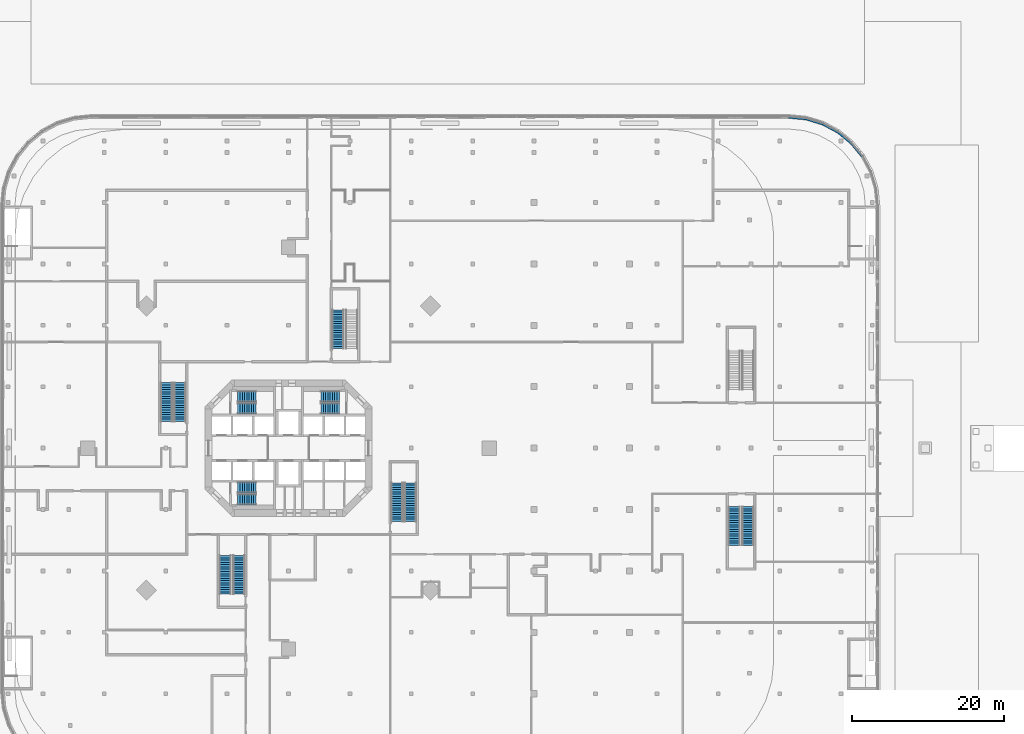
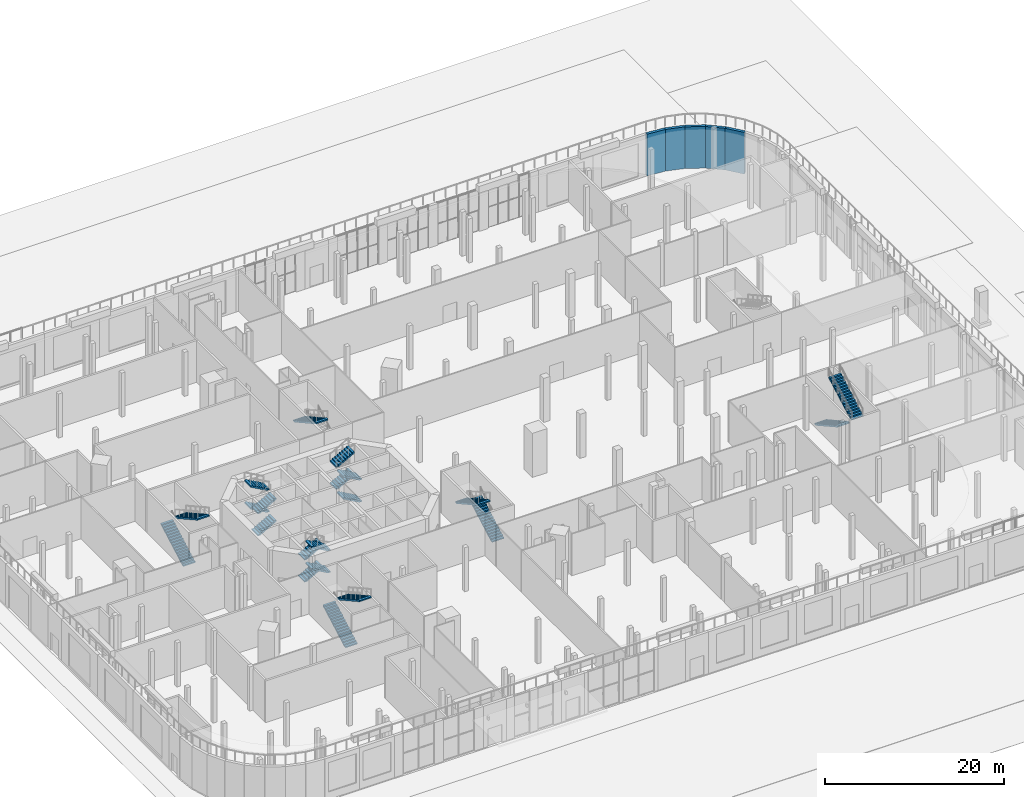
# One storey, part 23 of 32: 21 stair flights, 5 walls, 8 elements without a shape of their own.
"""IFC4 building model written with IfcOpenShell, lengths in metres."""

from ifc_helpers import new_model, si_unit, direction, frame, frame_2d, origin, place, context, subcontext, project, spatial, polyline, rectangle, outline, extrude, material, layer, layer_set, type_object, element, aggregate, save


model = new_model("IFC4")

# Units and contexts
model_context = context("Model", 3, precision=1e-05, world=origin(), true_north=direction((0.0, 1.0)))
body_context = subcontext(model_context, "Body", "Model", "MODEL_VIEW")
ifc_project = project(units=[si_unit("LENGTHUNIT", "METRE"), si_unit("AREAUNIT", "SQUARE_METRE"), si_unit("VOLUMEUNIT", "CUBIC_METRE"), si_unit("PLANEANGLEUNIT", "RADIAN"), si_unit("MASSUNIT", "GRAM", prefix="KILO")], contexts=[model_context])

# Site, building, storey
site_placement = place(None, origin())
site = spatial("IfcSite", under=ifc_project, at=site_placement, CompositionType="ELEMENT")
building_placement = place(site_placement, origin())
building = spatial("IfcBuilding", under=site, at=building_placement, Name="Torre Triforio", CompositionType="ELEMENT")
storey_placement = place(building_placement, origin())
storey = spatial("IfcBuildingStorey", under=building, at=storey_placement, Name="L00", CompositionType="ELEMENT", Elevation=0.0)

# Walls
ifc_material_1 = material(Name="Limestone cladding", Category="masonry")
ifc_layer_1 = layer(ifc_material_1, 0.10009765625)
ifc_material_2 = material(Name="Concrete C40", Category="concrete")
ifc_layer_2 = layer(ifc_material_2, 0.25)
ifc_layer_set = layer_set([ifc_layer_1, ifc_layer_2], Name="Limestone cladding / Concrete C40")
wall_type = type_object("IfcWallType", Name="Stone-clad podium wall 350", PredefinedType="STANDARD", material=ifc_layer_set)
for number, where, z_axis, x_axis, name in (
    (1, (75.7060546875, 38.4853515625, 0.0), (0.0, 0.0, 1.0), (-0.634352578082, 0.773043858187, 0.0), "External wall L00 e12.0.w0"),
    (2, (74.25439453125, 40.25439453125, 0.0), (0.0, 0.0, 1.0), (-0.773043858187, 0.634352578082, 0.0), "External wall L00 e13.0.w0"),
    (3, (72.4853515625, 41.7060546875, 0.0), (0.0, 0.0, 1.0), (-0.881888841544, 0.47145739061, 0.0), "External wall L00 e14.0.w0"),
):
    element("IfcWall", number, at=place(storey_placement, frame(where, z_axis=z_axis, x_axis=x_axis)), inside=storey, type_object=wall_type, Name=name, PredefinedType="STANDARD", context=body_context, shape_type="SweptSolid", body=[
        extrude(rectangle(XDim=2.288330078125, YDim=0.35009765625, at=frame_2d((1.14404296875, 0.0))), origin(), (0.0, 0.0, 1.0), 5.679931640625),
    ])
wall_1_placement = place(storey_placement, frame((70.46728515625, 42.784912109375, 0.0), z_axis=(0.0, 0.0, 1.0), x_axis=(-0.956940921075, 0.29028274763, 0.0)))
element("IfcWall", 4, at=wall_1_placement, inside=storey, type_object=wall_type, Name="External wall L00 e15.0.w0", PredefinedType="STANDARD", context=body_context, shape_type="SweptSolid", body=[
    extrude(rectangle(XDim=2.28857421875, YDim=0.35009765625, at=frame_2d((1.144287109375, 0.0))), origin(), (0.0, 0.0, 1.0), 5.679931640625),
])
wall_2_placement = place(storey_placement, frame((68.27734375, 43.44921875, 0.0), z_axis=(0.0, 0.0, 1.0), x_axis=(-0.995187085002, 0.097993192849, 0.0)))
element("IfcWall", 5, at=wall_2_placement, inside=storey, type_object=wall_type, Name="External wall L00 e16.0.w0", PredefinedType="STANDARD", context=body_context, shape_type="SweptSolid", body=[
    extrude(rectangle(XDim=2.304443359375, YDim=0.35009765625, at=frame_2d((1.15234375, 0.0))), origin(), (0.0, 0.0, 1.0), 5.679931640625),
])

# Stair, stair flights
stair_type_1 = type_object("IfcStairType", Name="Egress stair 1400 clear", PredefinedType="NOTDEFINED", material=ifc_material_2)
stair_1_placement = place(storey_placement, origin())
stair_1 = element("IfcStair", 6, at=stair_1_placement, inside=storey, type_object=stair_type_1, Name="Exit stair PS1 L00 to L01", PredefinedType="NOTDEFINED")
stair_flight_type_1 = type_object("IfcStairFlightType", Name="Egress stair flight 1400", PredefinedType="STRAIGHT", material=ifc_material_2)
stair_flight_1_placement = place(storey_placement, frame((-16.10009765625, 3.52490234375, 0.0), z_axis=(0.0, 0.0, 1.0), x_axis=(0.0, 1.0, 0.0)))
stair_flight_1 = element("IfcStairFlight", 7, at=stair_flight_1_placement, type_object=stair_flight_type_1, Name="PS1 flight 1", NumberOfRisers=18, NumberOfTreads=17, PredefinedType="STRAIGHT", RiserHeight=0.166666667, TreadLength=0.3, context=body_context, shape_type="SweptSolid", body=[
    extrude(outline(polyline([(0.0, 0.0), (0.0, 0.166748046875), (0.300048828125, 0.166748046875), (0.300048828125, 0.333251953125), (0.60009765625, 0.333251953125), (0.60009765625, 0.5), (0.89990234375, 0.5), (0.89990234375, 0.666748046875), (1.199951171875, 0.666748046875), (1.199951171875, 0.833251953125), (1.5, 0.833251953125), (1.5, 1.0), (1.800048828125, 1.0), (1.800048828125, 1.166748046875), (2.10009765625, 1.166748046875), (2.10009765625, 1.333251953125), (2.39990234375, 1.333251953125), (2.39990234375, 1.5), (2.699951171875, 1.5), (2.699951171875, 1.666748046875), (3.0, 1.666748046875), (3.0, 1.833251953125), (3.300048828125, 1.833251953125), (3.300048828125, 2.0), (3.60009765625, 2.0), (3.60009765625, 2.166748046875), (3.89990234375, 2.166748046875), (3.89990234375, 2.333251953125), (4.199951171875, 2.333251953125), (4.199951171875, 2.5), (4.5, 2.5), (4.5, 2.666748046875), (4.800048828125, 2.666748046875), (4.800048828125, 2.833251953125), (5.10009765625, 2.833251953125), (5.10009765625, 3.0), (5.10009765625, 2.661865234375), (0.30859375, 0.0), (0.0, 0.0)])), frame((0.0, 0.77490234375, 0.0), z_axis=(0.0, -1.0, 0.0), x_axis=(1.0, 0.0, 0.0)), (0.0, 0.0, 1.0), 1.550048828125),
])
stair_flight_2_placement = place(storey_placement, frame((-14.300048828125, 8.625, 3.0), z_axis=(0.0, 0.0, 1.0), x_axis=(0.0, -1.0, 0.0)))
stair_flight_2 = element("IfcStairFlight", 8, at=stair_flight_2_placement, type_object=stair_flight_type_1, Name="PS1 flight 2", NumberOfRisers=18, NumberOfTreads=17, PredefinedType="STRAIGHT", RiserHeight=0.166666667, TreadLength=0.3, context=body_context, shape_type="SweptSolid", body=[
    extrude(outline(polyline([(0.0, 0.0), (0.0, 0.166748046875), (0.300048828125, 0.166748046875), (0.300048828125, 0.333251953125), (0.60009765625, 0.333251953125), (0.60009765625, 0.5), (0.89990234375, 0.5), (0.89990234375, 0.666748046875), (1.199951171875, 0.666748046875), (1.199951171875, 0.833251953125), (1.5, 0.833251953125), (1.5, 1.0), (1.800048828125, 1.0), (1.800048828125, 1.166748046875), (2.10009765625, 1.166748046875), (2.10009765625, 1.333251953125), (2.39990234375, 1.333251953125), (2.39990234375, 1.5), (2.699951171875, 1.5), (2.699951171875, 1.666748046875), (3.0, 1.666748046875), (3.0, 1.833251953125), (3.300048828125, 1.833251953125), (3.300048828125, 2.0), (3.60009765625, 2.0), (3.60009765625, 2.166748046875), (3.89990234375, 2.166748046875), (3.89990234375, 2.333251953125), (4.199951171875, 2.333251953125), (4.199951171875, 2.5), (4.5, 2.5), (4.5, 2.666748046875), (4.800048828125, 2.666748046875), (4.800048828125, 2.833251953125), (5.10009765625, 2.833251953125), (5.10009765625, 3.0), (5.10009765625, 2.661865234375), (0.30859375, 0.0), (0.0, 0.0)])), frame((0.0, 0.77490234375, 0.0), z_axis=(0.0, -1.0, 0.0), x_axis=(1.0, 0.0, 0.0)), (0.0, 0.0, 1.0), 1.550048828125),
])
aggregate(stair_1, [stair_flight_1, stair_flight_2])

stair_2_placement = place(storey_placement, origin())
stair_2 = element("IfcStair", 9, at=stair_2_placement, inside=storey, type_object=stair_type_1, Name="Exit stair PS2 L00 to L01", PredefinedType="NOTDEFINED")
stair_flight_3_placement = place(storey_placement, frame((16.10009765625, -9.675048828125, 0.0), z_axis=(0.0, 0.0, 1.0), x_axis=(0.0, 1.0, 0.0)))
stair_flight_3 = element("IfcStairFlight", 10, at=stair_flight_3_placement, type_object=stair_flight_type_1, Name="PS2 flight 1", NumberOfRisers=18, NumberOfTreads=17, PredefinedType="STRAIGHT", RiserHeight=0.166666667, TreadLength=0.3, context=body_context, shape_type="SweptSolid", body=[
    extrude(outline(polyline([(0.0, 0.0), (0.0, 0.166748046875), (0.300048828125, 0.166748046875), (0.300048828125, 0.333251953125), (0.60009765625, 0.333251953125), (0.60009765625, 0.5), (0.89990234375, 0.5), (0.89990234375, 0.666748046875), (1.199951171875, 0.666748046875), (1.199951171875, 0.833251953125), (1.5, 0.833251953125), (1.5, 1.0), (1.800048828125, 1.0), (1.800048828125, 1.166748046875), (2.10009765625, 1.166748046875), (2.10009765625, 1.333251953125), (2.39990234375, 1.333251953125), (2.39990234375, 1.5), (2.699951171875, 1.5), (2.699951171875, 1.666748046875), (3.0, 1.666748046875), (3.0, 1.833251953125), (3.300048828125, 1.833251953125), (3.300048828125, 2.0), (3.60009765625, 2.0), (3.60009765625, 2.166748046875), (3.89990234375, 2.166748046875), (3.89990234375, 2.333251953125), (4.199951171875, 2.333251953125), (4.199951171875, 2.5), (4.5, 2.5), (4.5, 2.666748046875), (4.800048828125, 2.666748046875), (4.800048828125, 2.833251953125), (5.10009765625, 2.833251953125), (5.10009765625, 3.0), (5.10009765625, 2.661865234375), (0.30859375, 0.0), (0.0, 0.0)])), frame((0.0, 0.77490234375, 0.0), z_axis=(0.0, -1.0, 0.0), x_axis=(1.0, 0.0, 0.0)), (0.0, 0.0, 1.0), 1.550048828125),
])
stair_flight_4_placement = place(storey_placement, frame((14.300048828125, -4.574951171875, 3.0), z_axis=(0.0, 0.0, 1.0), x_axis=(0.0, -1.0, 0.0)))
stair_flight_4 = element("IfcStairFlight", 11, at=stair_flight_4_placement, type_object=stair_flight_type_1, Name="PS2 flight 2", NumberOfRisers=18, NumberOfTreads=17, PredefinedType="STRAIGHT", RiserHeight=0.166666667, TreadLength=0.3, context=body_context, shape_type="SweptSolid", body=[
    extrude(outline(polyline([(0.0, 0.0), (0.0, 0.166748046875), (0.300048828125, 0.166748046875), (0.300048828125, 0.333251953125), (0.60009765625, 0.333251953125), (0.60009765625, 0.5), (0.89990234375, 0.5), (0.89990234375, 0.666748046875), (1.199951171875, 0.666748046875), (1.199951171875, 0.833251953125), (1.5, 0.833251953125), (1.5, 1.0), (1.800048828125, 1.0), (1.800048828125, 1.166748046875), (2.10009765625, 1.166748046875), (2.10009765625, 1.333251953125), (2.39990234375, 1.333251953125), (2.39990234375, 1.5), (2.699951171875, 1.5), (2.699951171875, 1.666748046875), (3.0, 1.666748046875), (3.0, 1.833251953125), (3.300048828125, 1.833251953125), (3.300048828125, 2.0), (3.60009765625, 2.0), (3.60009765625, 2.166748046875), (3.89990234375, 2.166748046875), (3.89990234375, 2.333251953125), (4.199951171875, 2.333251953125), (4.199951171875, 2.5), (4.5, 2.5), (4.5, 2.666748046875), (4.800048828125, 2.666748046875), (4.800048828125, 2.833251953125), (5.10009765625, 2.833251953125), (5.10009765625, 3.0), (5.10009765625, 2.661865234375), (0.30859375, 0.0), (0.0, 0.0)])), frame((0.0, 0.77490234375, 0.0), z_axis=(0.0, -1.0, 0.0), x_axis=(1.0, 0.0, 0.0)), (0.0, 0.0, 1.0), 1.550048828125),
])
aggregate(stair_2, [stair_flight_3, stair_flight_4])

stair_3_placement = place(storey_placement, origin())
stair_3 = element("IfcStair", 12, at=stair_3_placement, inside=storey, type_object=stair_type_1, Name="Exit stair PS3 L00 to L01", PredefinedType="NOTDEFINED")
stair_flight_5_placement = place(storey_placement, frame((-8.35009765625, -19.27490234375, 0.0), z_axis=(0.0, 0.0, 1.0), x_axis=(0.0, 1.0, 0.0)))
stair_flight_5 = element("IfcStairFlight", 13, at=stair_flight_5_placement, type_object=stair_flight_type_1, Name="PS3 flight 1", NumberOfRisers=18, NumberOfTreads=17, PredefinedType="STRAIGHT", RiserHeight=0.166666667, TreadLength=0.3, context=body_context, shape_type="SweptSolid", body=[
    extrude(outline(polyline([(0.0, 0.0), (0.0, 0.166748046875), (0.300048828125, 0.166748046875), (0.300048828125, 0.333251953125), (0.60009765625, 0.333251953125), (0.60009765625, 0.5), (0.89990234375, 0.5), (0.89990234375, 0.666748046875), (1.199951171875, 0.666748046875), (1.199951171875, 0.833251953125), (1.5, 0.833251953125), (1.5, 1.0), (1.800048828125, 1.0), (1.800048828125, 1.166748046875), (2.10009765625, 1.166748046875), (2.10009765625, 1.333251953125), (2.39990234375, 1.333251953125), (2.39990234375, 1.5), (2.699951171875, 1.5), (2.699951171875, 1.666748046875), (3.0, 1.666748046875), (3.0, 1.833251953125), (3.300048828125, 1.833251953125), (3.300048828125, 2.0), (3.60009765625, 2.0), (3.60009765625, 2.166748046875), (3.89990234375, 2.166748046875), (3.89990234375, 2.333251953125), (4.199951171875, 2.333251953125), (4.199951171875, 2.5), (4.5, 2.5), (4.5, 2.666748046875), (4.800048828125, 2.666748046875), (4.800048828125, 2.833251953125), (5.10009765625, 2.833251953125), (5.10009765625, 3.0), (5.10009765625, 2.661865234375), (0.30859375, 0.0), (0.0, 0.0)])), frame((0.0, 0.77490234375, 0.0), z_axis=(0.0, -1.0, 0.0), x_axis=(1.0, 0.0, 0.0)), (0.0, 0.0, 1.0), 1.550048828125),
])
stair_flight_6_placement = place(storey_placement, frame((-6.550048828125, -14.175048828125, 3.0), z_axis=(0.0, 0.0, 1.0), x_axis=(0.0, -1.0, 0.0)))
stair_flight_6 = element("IfcStairFlight", 14, at=stair_flight_6_placement, type_object=stair_flight_type_1, Name="PS3 flight 2", NumberOfRisers=18, NumberOfTreads=17, PredefinedType="STRAIGHT", RiserHeight=0.166666667, TreadLength=0.3, context=body_context, shape_type="SweptSolid", body=[
    extrude(outline(polyline([(0.0, 0.0), (0.0, 0.166748046875), (0.300048828125, 0.166748046875), (0.300048828125, 0.333251953125), (0.60009765625, 0.333251953125), (0.60009765625, 0.5), (0.89990234375, 0.5), (0.89990234375, 0.666748046875), (1.199951171875, 0.666748046875), (1.199951171875, 0.833251953125), (1.5, 0.833251953125), (1.5, 1.0), (1.800048828125, 1.0), (1.800048828125, 1.166748046875), (2.10009765625, 1.166748046875), (2.10009765625, 1.333251953125), (2.39990234375, 1.333251953125), (2.39990234375, 1.5), (2.699951171875, 1.5), (2.699951171875, 1.666748046875), (3.0, 1.666748046875), (3.0, 1.833251953125), (3.300048828125, 1.833251953125), (3.300048828125, 2.0), (3.60009765625, 2.0), (3.60009765625, 2.166748046875), (3.89990234375, 2.166748046875), (3.89990234375, 2.333251953125), (4.199951171875, 2.333251953125), (4.199951171875, 2.5), (4.5, 2.5), (4.5, 2.666748046875), (4.800048828125, 2.666748046875), (4.800048828125, 2.833251953125), (5.10009765625, 2.833251953125), (5.10009765625, 3.0), (5.10009765625, 2.661865234375), (0.30859375, 0.0), (0.0, 0.0)])), frame((0.0, 0.77490234375, 0.0), z_axis=(0.0, -1.0, 0.0), x_axis=(1.0, 0.0, 0.0)), (0.0, 0.0, 1.0), 1.550048828125),
])
aggregate(stair_3, [stair_flight_5, stair_flight_6])

# Stair, stair flight
stair_4_placement = place(storey_placement, origin())
stair_4 = element("IfcStair", 15, at=stair_4_placement, inside=storey, type_object=stair_type_1, Name="Exit stair PS4 L00 to L01", PredefinedType="NOTDEFINED")
stair_flight_7_placement = place(storey_placement, frame((6.550048828125, 18.22509765625, 3.0), z_axis=(0.0, 0.0, 1.0), x_axis=(0.0, -1.0, 0.0)))
stair_flight_7 = element("IfcStairFlight", 16, at=stair_flight_7_placement, type_object=stair_flight_type_1, Name="PS4 flight 2", NumberOfRisers=18, NumberOfTreads=17, PredefinedType="STRAIGHT", RiserHeight=0.166666667, TreadLength=0.3, context=body_context, shape_type="SweptSolid", body=[
    extrude(outline(polyline([(0.0, 0.0), (0.0, 0.166748046875), (0.300048828125, 0.166748046875), (0.300048828125, 0.333251953125), (0.60009765625, 0.333251953125), (0.60009765625, 0.5), (0.89990234375, 0.5), (0.89990234375, 0.666748046875), (1.199951171875, 0.666748046875), (1.199951171875, 0.833251953125), (1.5, 0.833251953125), (1.5, 1.0), (1.800048828125, 1.0), (1.800048828125, 1.166748046875), (2.10009765625, 1.166748046875), (2.10009765625, 1.333251953125), (2.39990234375, 1.333251953125), (2.39990234375, 1.5), (2.699951171875, 1.5), (2.699951171875, 1.666748046875), (3.0, 1.666748046875), (3.0, 1.833251953125), (3.300048828125, 1.833251953125), (3.300048828125, 2.0), (3.60009765625, 2.0), (3.60009765625, 2.166748046875), (3.89990234375, 2.166748046875), (3.89990234375, 2.333251953125), (4.199951171875, 2.333251953125), (4.199951171875, 2.5), (4.5, 2.5), (4.5, 2.666748046875), (4.800048828125, 2.666748046875), (4.800048828125, 2.833251953125), (5.10009765625, 2.833251953125), (5.10009765625, 3.0), (5.10009765625, 2.661865234375), (0.30859375, 0.0), (0.0, 0.0)])), frame((0.0, 0.77490234375, 0.0), z_axis=(0.0, -1.0, 0.0), x_axis=(1.0, 0.0, 0.0)), (0.0, 0.0, 1.0), 1.550048828125),
])
aggregate(stair_4, [stair_flight_7])

# Stair, stair flights
stair_5_placement = place(storey_placement, origin())
stair_5 = element("IfcStair", 17, at=stair_5_placement, inside=storey, type_object=stair_type_1, Name="Exit stair PS6 L00 to L01", PredefinedType="NOTDEFINED")
stair_flight_8_placement = place(storey_placement, frame((58.800048828125, -7.72509765625, 0.0), z_axis=(0.0, 0.0, 1.0), x_axis=(0.0, -1.0, 0.0)))
stair_flight_8 = element("IfcStairFlight", 18, at=stair_flight_8_placement, type_object=stair_flight_type_1, Name="PS6 flight 1", NumberOfRisers=18, NumberOfTreads=17, PredefinedType="STRAIGHT", RiserHeight=0.166666667, TreadLength=0.3, context=body_context, shape_type="SweptSolid", body=[
    extrude(outline(polyline([(0.0, 0.0), (0.0, 0.166748046875), (0.300048828125, 0.166748046875), (0.300048828125, 0.333251953125), (0.60009765625, 0.333251953125), (0.60009765625, 0.5), (0.89990234375, 0.5), (0.89990234375, 0.666748046875), (1.199951171875, 0.666748046875), (1.199951171875, 0.833251953125), (1.5, 0.833251953125), (1.5, 1.0), (1.800048828125, 1.0), (1.800048828125, 1.166748046875), (2.10009765625, 1.166748046875), (2.10009765625, 1.333251953125), (2.39990234375, 1.333251953125), (2.39990234375, 1.5), (2.699951171875, 1.5), (2.699951171875, 1.666748046875), (3.0, 1.666748046875), (3.0, 1.833251953125), (3.300048828125, 1.833251953125), (3.300048828125, 2.0), (3.60009765625, 2.0), (3.60009765625, 2.166748046875), (3.89990234375, 2.166748046875), (3.89990234375, 2.333251953125), (4.199951171875, 2.333251953125), (4.199951171875, 2.5), (4.5, 2.5), (4.5, 2.666748046875), (4.800048828125, 2.666748046875), (4.800048828125, 2.833251953125), (5.10009765625, 2.833251953125), (5.10009765625, 3.0), (5.10009765625, 2.661865234375), (0.30859375, 0.0), (0.0, 0.0)])), frame((0.0, 0.77490234375, 0.0), z_axis=(0.0, -1.0, 0.0), x_axis=(1.0, 0.0, 0.0)), (0.0, 0.0, 1.0), 1.550048828125),
])
stair_flight_9_placement = place(storey_placement, frame((60.60009765625, -12.824951171875, 3.0), z_axis=(0.0, 0.0, 1.0), x_axis=(0.0, 1.0, 0.0)))
stair_flight_9 = element("IfcStairFlight", 19, at=stair_flight_9_placement, type_object=stair_flight_type_1, Name="PS6 flight 2", NumberOfRisers=18, NumberOfTreads=17, PredefinedType="STRAIGHT", RiserHeight=0.166666667, TreadLength=0.3, context=body_context, shape_type="SweptSolid", body=[
    extrude(outline(polyline([(0.0, 0.0), (0.0, 0.166748046875), (0.300048828125, 0.166748046875), (0.300048828125, 0.333251953125), (0.60009765625, 0.333251953125), (0.60009765625, 0.5), (0.89990234375, 0.5), (0.89990234375, 0.666748046875), (1.199951171875, 0.666748046875), (1.199951171875, 0.833251953125), (1.5, 0.833251953125), (1.5, 1.0), (1.800048828125, 1.0), (1.800048828125, 1.166748046875), (2.10009765625, 1.166748046875), (2.10009765625, 1.333251953125), (2.39990234375, 1.333251953125), (2.39990234375, 1.5), (2.699951171875, 1.5), (2.699951171875, 1.666748046875), (3.0, 1.666748046875), (3.0, 1.833251953125), (3.300048828125, 1.833251953125), (3.300048828125, 2.0), (3.60009765625, 2.0), (3.60009765625, 2.166748046875), (3.89990234375, 2.166748046875), (3.89990234375, 2.333251953125), (4.199951171875, 2.333251953125), (4.199951171875, 2.5), (4.5, 2.5), (4.5, 2.666748046875), (4.800048828125, 2.666748046875), (4.800048828125, 2.833251953125), (5.10009765625, 2.833251953125), (5.10009765625, 3.0), (5.10009765625, 2.661865234375), (0.30859375, 0.0), (0.0, 0.0)])), frame((0.0, 0.77490234375, 0.0), z_axis=(0.0, -1.0, 0.0), x_axis=(1.0, 0.0, 0.0)), (0.0, 0.0, 1.0), 1.550048828125),
])
aggregate(stair_5, [stair_flight_8, stair_flight_9])

stair_type_2 = type_object("IfcStairType", Name="STAIR DOUBLE RETURN", PredefinedType="DOUBLE_RETURN_STAIR", material=ifc_material_2)
stair_6_placement = place(storey_placement, origin())
stair_6 = element("IfcStair", 20, at=stair_6_placement, inside=storey, type_object=stair_type_2, Name="Exit stair 1", PredefinedType="DOUBLE_RETURN_STAIR")
stair_flight_type_2 = type_object("IfcStairFlightType", Name="STAIR FLIGHT 1400", PredefinedType="STRAIGHT", material=ifc_material_2)
stair_flight_10_placement = place(storey_placement, frame((-6.699951171875, 5.199951171875, 0.0), z_axis=(0.0, 0.0, 1.0), x_axis=(1.0, 0.0, 0.0)))
stair_flight_10 = element("IfcStairFlight", 21, at=stair_flight_10_placement, type_object=stair_flight_type_2, Name="ST1 flight 1", NumberOfRisers=9, NumberOfTreads=8, PredefinedType="STRAIGHT", RiserHeight=0.166666667, TreadLength=0.3, context=body_context, shape_type="SweptSolid", body=[
    extrude(outline(polyline([(0.0, 0.0), (0.0, 0.166748046875), (0.300048828125, 0.166748046875), (0.300048828125, 0.333251953125), (0.60009765625, 0.333251953125), (0.60009765625, 0.5), (0.89990234375, 0.5), (0.89990234375, 0.666748046875), (1.199951171875, 0.666748046875), (1.199951171875, 0.833251953125), (1.5, 0.833251953125), (1.5, 1.0), (1.800048828125, 1.0), (1.800048828125, 1.166748046875), (2.10009765625, 1.166748046875), (2.10009765625, 1.333251953125), (2.39990234375, 1.333251953125), (2.39990234375, 1.5), (2.39990234375, 1.161865234375), (0.30859375, 0.0), (0.0, 0.0)])), frame((0.0, 0.699951171875, 0.0), z_axis=(0.0, -1.0, 0.0), x_axis=(1.0, 0.0, 0.0)), (0.0, 0.0, 1.0), 1.39990234375),
])
stair_flight_11_placement = place(storey_placement, frame((-4.300048828125, 6.800048828125, 1.5), z_axis=(0.0, 0.0, 1.0), x_axis=(-1.0, 0.0, 0.0)))
stair_flight_11 = element("IfcStairFlight", 22, at=stair_flight_11_placement, type_object=stair_flight_type_2, Name="ST1 flight 2", NumberOfRisers=9, NumberOfTreads=8, PredefinedType="STRAIGHT", RiserHeight=0.166666667, TreadLength=0.3, context=body_context, shape_type="SweptSolid", body=[
    extrude(outline(polyline([(0.0, 0.0), (0.0, 0.166748046875), (0.300048828125, 0.166748046875), (0.300048828125, 0.333251953125), (0.60009765625, 0.333251953125), (0.60009765625, 0.5), (0.89990234375, 0.5), (0.89990234375, 0.666748046875), (1.199951171875, 0.666748046875), (1.199951171875, 0.833251953125), (1.5, 0.833251953125), (1.5, 1.0), (1.800048828125, 1.0), (1.800048828125, 1.166748046875), (2.10009765625, 1.166748046875), (2.10009765625, 1.333251953125), (2.39990234375, 1.333251953125), (2.39990234375, 1.5), (2.39990234375, 1.161865234375), (0.30859375, 0.0), (0.0, 0.0)])), frame((0.0, 0.699951171875, 0.0), z_axis=(0.0, -1.0, 0.0), x_axis=(1.0, 0.0, 0.0)), (0.0, 0.0, 1.0), 1.39990234375),
])
stair_flight_12_placement = place(storey_placement, frame((-6.699951171875, 5.199951171875, 3.0), z_axis=(0.0, 0.0, 1.0), x_axis=(1.0, 0.0, 0.0)))
stair_flight_12 = element("IfcStairFlight", 23, at=stair_flight_12_placement, type_object=stair_flight_type_2, Name="ST1 flight 3", NumberOfRisers=9, NumberOfTreads=8, PredefinedType="STRAIGHT", RiserHeight=0.166666667, TreadLength=0.3, context=body_context, shape_type="SweptSolid", body=[
    extrude(outline(polyline([(0.0, 0.0), (0.0, 0.166748046875), (0.300048828125, 0.166748046875), (0.300048828125, 0.333251953125), (0.60009765625, 0.333251953125), (0.60009765625, 0.5), (0.89990234375, 0.5), (0.89990234375, 0.666748046875), (1.199951171875, 0.666748046875), (1.199951171875, 0.833251953125), (1.5, 0.833251953125), (1.5, 1.0), (1.800048828125, 1.0), (1.800048828125, 1.166748046875), (2.10009765625, 1.166748046875), (2.10009765625, 1.333251953125), (2.39990234375, 1.333251953125), (2.39990234375, 1.5), (2.39990234375, 1.161865234375), (0.30859375, 0.0), (0.0, 0.0)])), frame((0.0, 0.699951171875, 0.0), z_axis=(0.0, -1.0, 0.0), x_axis=(1.0, 0.0, 0.0)), (0.0, 0.0, 1.0), 1.39990234375),
])
stair_flight_13_placement = place(storey_placement, frame((-4.300048828125, 6.800048828125, 4.5), z_axis=(0.0, 0.0, 1.0), x_axis=(-1.0, 0.0, 0.0)))
stair_flight_13 = element("IfcStairFlight", 24, at=stair_flight_13_placement, type_object=stair_flight_type_2, Name="ST1 flight 4", NumberOfRisers=9, NumberOfTreads=8, PredefinedType="STRAIGHT", RiserHeight=0.166666667, TreadLength=0.3, context=body_context, shape_type="SweptSolid", body=[
    extrude(outline(polyline([(0.0, 0.0), (0.0, 0.166748046875), (0.300048828125, 0.166748046875), (0.300048828125, 0.333251953125), (0.60009765625, 0.333251953125), (0.60009765625, 0.5), (0.89990234375, 0.5), (0.89990234375, 0.666748046875), (1.199951171875, 0.666748046875), (1.199951171875, 0.833251953125), (1.5, 0.833251953125), (1.5, 1.0), (1.800048828125, 1.0), (1.800048828125, 1.166748046875), (2.10009765625, 1.166748046875), (2.10009765625, 1.333251953125), (2.39990234375, 1.333251953125), (2.39990234375, 1.5), (2.39990234375, 1.161865234375), (0.30859375, 0.0), (0.0, 0.0)])), frame((0.0, 0.699951171875, 0.0), z_axis=(0.0, -1.0, 0.0), x_axis=(1.0, 0.0, 0.0)), (0.0, 0.0, 1.0), 1.39990234375),
])
aggregate(stair_6, [stair_flight_10, stair_flight_11, stair_flight_12, stair_flight_13])

stair_7_placement = place(storey_placement, origin())
stair_7 = element("IfcStair", 25, at=stair_7_placement, inside=storey, type_object=stair_type_2, Name="Exit stair 2", PredefinedType="DOUBLE_RETURN_STAIR")
stair_flight_14_placement = place(storey_placement, frame((6.699951171875, 5.199951171875, 0.0), z_axis=(0.0, 0.0, 1.0), x_axis=(-1.0, 0.0, 0.0)))
stair_flight_14 = element("IfcStairFlight", 26, at=stair_flight_14_placement, type_object=stair_flight_type_2, Name="ST2 flight 1", NumberOfRisers=9, NumberOfTreads=8, PredefinedType="STRAIGHT", RiserHeight=0.166666667, TreadLength=0.3, context=body_context, shape_type="SweptSolid", body=[
    extrude(outline(polyline([(0.0, 0.0), (0.0, 0.166748046875), (0.300048828125, 0.166748046875), (0.300048828125, 0.333251953125), (0.60009765625, 0.333251953125), (0.60009765625, 0.5), (0.89990234375, 0.5), (0.89990234375, 0.666748046875), (1.199951171875, 0.666748046875), (1.199951171875, 0.833251953125), (1.5, 0.833251953125), (1.5, 1.0), (1.800048828125, 1.0), (1.800048828125, 1.166748046875), (2.10009765625, 1.166748046875), (2.10009765625, 1.333251953125), (2.39990234375, 1.333251953125), (2.39990234375, 1.5), (2.39990234375, 1.161865234375), (0.30859375, 0.0), (0.0, 0.0)])), frame((0.0, 0.699951171875, 0.0), z_axis=(0.0, -1.0, 0.0), x_axis=(1.0, 0.0, 0.0)), (0.0, 0.0, 1.0), 1.39990234375),
])
stair_flight_15_placement = place(storey_placement, frame((4.300048828125, 6.800048828125, 1.5), z_axis=(0.0, 0.0, 1.0), x_axis=(1.0, 0.0, 0.0)))
stair_flight_15 = element("IfcStairFlight", 27, at=stair_flight_15_placement, type_object=stair_flight_type_2, Name="ST2 flight 2", NumberOfRisers=9, NumberOfTreads=8, PredefinedType="STRAIGHT", RiserHeight=0.166666667, TreadLength=0.3, context=body_context, shape_type="SweptSolid", body=[
    extrude(outline(polyline([(0.0, 0.0), (0.0, 0.166748046875), (0.300048828125, 0.166748046875), (0.300048828125, 0.333251953125), (0.60009765625, 0.333251953125), (0.60009765625, 0.5), (0.89990234375, 0.5), (0.89990234375, 0.666748046875), (1.199951171875, 0.666748046875), (1.199951171875, 0.833251953125), (1.5, 0.833251953125), (1.5, 1.0), (1.800048828125, 1.0), (1.800048828125, 1.166748046875), (2.10009765625, 1.166748046875), (2.10009765625, 1.333251953125), (2.39990234375, 1.333251953125), (2.39990234375, 1.5), (2.39990234375, 1.161865234375), (0.30859375, 0.0), (0.0, 0.0)])), frame((0.0, 0.699951171875, 0.0), z_axis=(0.0, -1.0, 0.0), x_axis=(1.0, 0.0, 0.0)), (0.0, 0.0, 1.0), 1.39990234375),
])
stair_flight_16_placement = place(storey_placement, frame((6.699951171875, 5.199951171875, 3.0), z_axis=(0.0, 0.0, 1.0), x_axis=(-1.0, 0.0, 0.0)))
stair_flight_16 = element("IfcStairFlight", 28, at=stair_flight_16_placement, type_object=stair_flight_type_2, Name="ST2 flight 3", NumberOfRisers=9, NumberOfTreads=8, PredefinedType="STRAIGHT", RiserHeight=0.166666667, TreadLength=0.3, context=body_context, shape_type="SweptSolid", body=[
    extrude(outline(polyline([(0.0, 0.0), (0.0, 0.166748046875), (0.300048828125, 0.166748046875), (0.300048828125, 0.333251953125), (0.60009765625, 0.333251953125), (0.60009765625, 0.5), (0.89990234375, 0.5), (0.89990234375, 0.666748046875), (1.199951171875, 0.666748046875), (1.199951171875, 0.833251953125), (1.5, 0.833251953125), (1.5, 1.0), (1.800048828125, 1.0), (1.800048828125, 1.166748046875), (2.10009765625, 1.166748046875), (2.10009765625, 1.333251953125), (2.39990234375, 1.333251953125), (2.39990234375, 1.5), (2.39990234375, 1.161865234375), (0.30859375, 0.0), (0.0, 0.0)])), frame((0.0, 0.699951171875, 0.0), z_axis=(0.0, -1.0, 0.0), x_axis=(1.0, 0.0, 0.0)), (0.0, 0.0, 1.0), 1.39990234375),
])
stair_flight_17_placement = place(storey_placement, frame((4.300048828125, 6.800048828125, 4.5), z_axis=(0.0, 0.0, 1.0), x_axis=(1.0, 0.0, 0.0)))
stair_flight_17 = element("IfcStairFlight", 29, at=stair_flight_17_placement, type_object=stair_flight_type_2, Name="ST2 flight 4", NumberOfRisers=9, NumberOfTreads=8, PredefinedType="STRAIGHT", RiserHeight=0.166666667, TreadLength=0.3, context=body_context, shape_type="SweptSolid", body=[
    extrude(outline(polyline([(0.0, 0.0), (0.0, 0.166748046875), (0.300048828125, 0.166748046875), (0.300048828125, 0.333251953125), (0.60009765625, 0.333251953125), (0.60009765625, 0.5), (0.89990234375, 0.5), (0.89990234375, 0.666748046875), (1.199951171875, 0.666748046875), (1.199951171875, 0.833251953125), (1.5, 0.833251953125), (1.5, 1.0), (1.800048828125, 1.0), (1.800048828125, 1.166748046875), (2.10009765625, 1.166748046875), (2.10009765625, 1.333251953125), (2.39990234375, 1.333251953125), (2.39990234375, 1.5), (2.39990234375, 1.161865234375), (0.30859375, 0.0), (0.0, 0.0)])), frame((0.0, 0.699951171875, 0.0), z_axis=(0.0, -1.0, 0.0), x_axis=(1.0, 0.0, 0.0)), (0.0, 0.0, 1.0), 1.39990234375),
])
aggregate(stair_7, [stair_flight_14, stair_flight_15, stair_flight_16, stair_flight_17])

stair_8_placement = place(storey_placement, origin())
stair_8 = element("IfcStair", 30, at=stair_8_placement, inside=storey, type_object=stair_type_2, Name="Exit stair 3", PredefinedType="DOUBLE_RETURN_STAIR")
stair_flight_18_placement = place(storey_placement, frame((-6.699951171875, -5.199951171875, 0.0), z_axis=(0.0, 0.0, 1.0), x_axis=(1.0, 0.0, 0.0)))
stair_flight_18 = element("IfcStairFlight", 31, at=stair_flight_18_placement, type_object=stair_flight_type_2, Name="ST3 flight 1", NumberOfRisers=9, NumberOfTreads=8, PredefinedType="STRAIGHT", RiserHeight=0.166666667, TreadLength=0.3, context=body_context, shape_type="SweptSolid", body=[
    extrude(outline(polyline([(0.0, 0.0), (0.0, 0.166748046875), (0.300048828125, 0.166748046875), (0.300048828125, 0.333251953125), (0.60009765625, 0.333251953125), (0.60009765625, 0.5), (0.89990234375, 0.5), (0.89990234375, 0.666748046875), (1.199951171875, 0.666748046875), (1.199951171875, 0.833251953125), (1.5, 0.833251953125), (1.5, 1.0), (1.800048828125, 1.0), (1.800048828125, 1.166748046875), (2.10009765625, 1.166748046875), (2.10009765625, 1.333251953125), (2.39990234375, 1.333251953125), (2.39990234375, 1.5), (2.39990234375, 1.161865234375), (0.30859375, 0.0), (0.0, 0.0)])), frame((0.0, 0.699951171875, 0.0), z_axis=(0.0, -1.0, 0.0), x_axis=(1.0, 0.0, 0.0)), (0.0, 0.0, 1.0), 1.39990234375),
])
stair_flight_19_placement = place(storey_placement, frame((-4.300048828125, -6.800048828125, 1.5), z_axis=(0.0, 0.0, 1.0), x_axis=(-1.0, 0.0, 0.0)))
stair_flight_19 = element("IfcStairFlight", 32, at=stair_flight_19_placement, type_object=stair_flight_type_2, Name="ST3 flight 2", NumberOfRisers=9, NumberOfTreads=8, PredefinedType="STRAIGHT", RiserHeight=0.166666667, TreadLength=0.3, context=body_context, shape_type="SweptSolid", body=[
    extrude(outline(polyline([(0.0, 0.0), (0.0, 0.166748046875), (0.300048828125, 0.166748046875), (0.300048828125, 0.333251953125), (0.60009765625, 0.333251953125), (0.60009765625, 0.5), (0.89990234375, 0.5), (0.89990234375, 0.666748046875), (1.199951171875, 0.666748046875), (1.199951171875, 0.833251953125), (1.5, 0.833251953125), (1.5, 1.0), (1.800048828125, 1.0), (1.800048828125, 1.166748046875), (2.10009765625, 1.166748046875), (2.10009765625, 1.333251953125), (2.39990234375, 1.333251953125), (2.39990234375, 1.5), (2.39990234375, 1.161865234375), (0.30859375, 0.0), (0.0, 0.0)])), frame((0.0, 0.699951171875, 0.0), z_axis=(0.0, -1.0, 0.0), x_axis=(1.0, 0.0, 0.0)), (0.0, 0.0, 1.0), 1.39990234375),
])
stair_flight_20_placement = place(storey_placement, frame((-6.699951171875, -5.199951171875, 3.0), z_axis=(0.0, 0.0, 1.0), x_axis=(1.0, 0.0, 0.0)))
stair_flight_20 = element("IfcStairFlight", 33, at=stair_flight_20_placement, type_object=stair_flight_type_2, Name="ST3 flight 3", NumberOfRisers=9, NumberOfTreads=8, PredefinedType="STRAIGHT", RiserHeight=0.166666667, TreadLength=0.3, context=body_context, shape_type="SweptSolid", body=[
    extrude(outline(polyline([(0.0, 0.0), (0.0, 0.166748046875), (0.300048828125, 0.166748046875), (0.300048828125, 0.333251953125), (0.60009765625, 0.333251953125), (0.60009765625, 0.5), (0.89990234375, 0.5), (0.89990234375, 0.666748046875), (1.199951171875, 0.666748046875), (1.199951171875, 0.833251953125), (1.5, 0.833251953125), (1.5, 1.0), (1.800048828125, 1.0), (1.800048828125, 1.166748046875), (2.10009765625, 1.166748046875), (2.10009765625, 1.333251953125), (2.39990234375, 1.333251953125), (2.39990234375, 1.5), (2.39990234375, 1.161865234375), (0.30859375, 0.0), (0.0, 0.0)])), frame((0.0, 0.699951171875, 0.0), z_axis=(0.0, -1.0, 0.0), x_axis=(1.0, 0.0, 0.0)), (0.0, 0.0, 1.0), 1.39990234375),
])
stair_flight_21_placement = place(storey_placement, frame((-4.300048828125, -6.800048828125, 4.5), z_axis=(0.0, 0.0, 1.0), x_axis=(-1.0, 0.0, 0.0)))
stair_flight_21 = element("IfcStairFlight", 34, at=stair_flight_21_placement, type_object=stair_flight_type_2, Name="ST3 flight 4", NumberOfRisers=9, NumberOfTreads=8, PredefinedType="STRAIGHT", RiserHeight=0.166666667, TreadLength=0.3, context=body_context, shape_type="SweptSolid", body=[
    extrude(outline(polyline([(0.0, 0.0), (0.0, 0.166748046875), (0.300048828125, 0.166748046875), (0.300048828125, 0.333251953125), (0.60009765625, 0.333251953125), (0.60009765625, 0.5), (0.89990234375, 0.5), (0.89990234375, 0.666748046875), (1.199951171875, 0.666748046875), (1.199951171875, 0.833251953125), (1.5, 0.833251953125), (1.5, 1.0), (1.800048828125, 1.0), (1.800048828125, 1.166748046875), (2.10009765625, 1.166748046875), (2.10009765625, 1.333251953125), (2.39990234375, 1.333251953125), (2.39990234375, 1.5), (2.39990234375, 1.161865234375), (0.30859375, 0.0), (0.0, 0.0)])), frame((0.0, 0.699951171875, 0.0), z_axis=(0.0, -1.0, 0.0), x_axis=(1.0, 0.0, 0.0)), (0.0, 0.0, 1.0), 1.39990234375),
])
aggregate(stair_8, [stair_flight_18, stair_flight_19, stair_flight_20, stair_flight_21])

save(model, "model.ifc")
